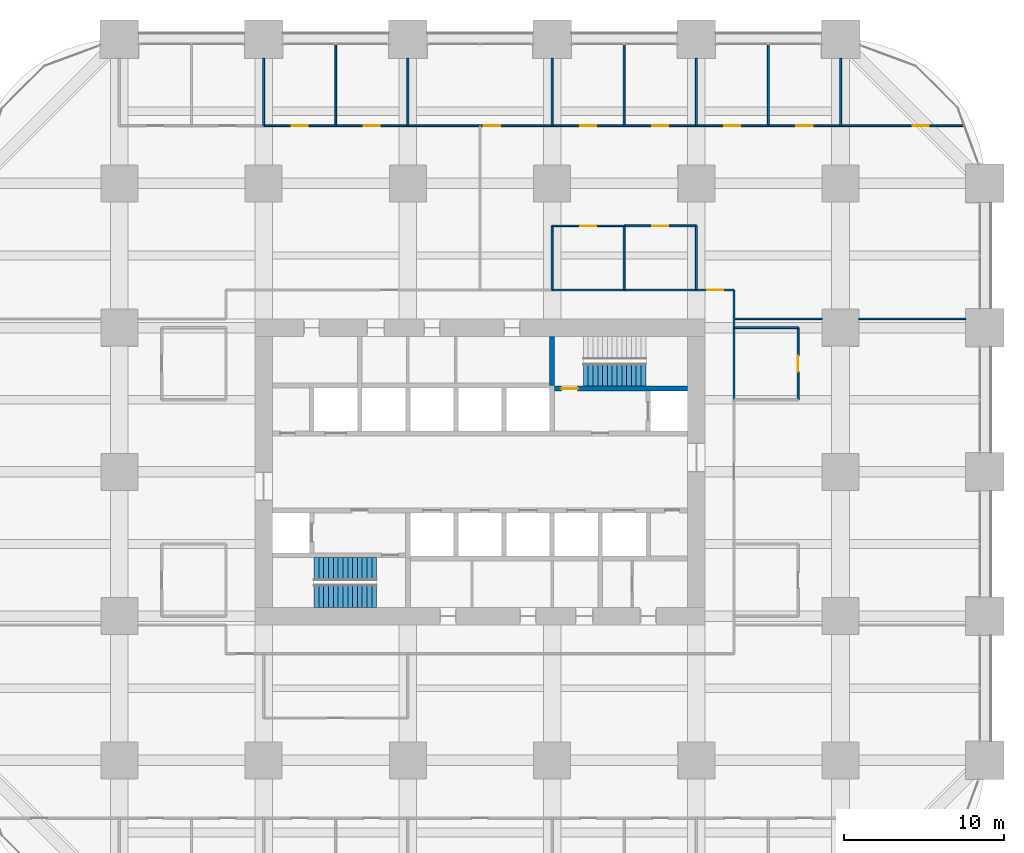
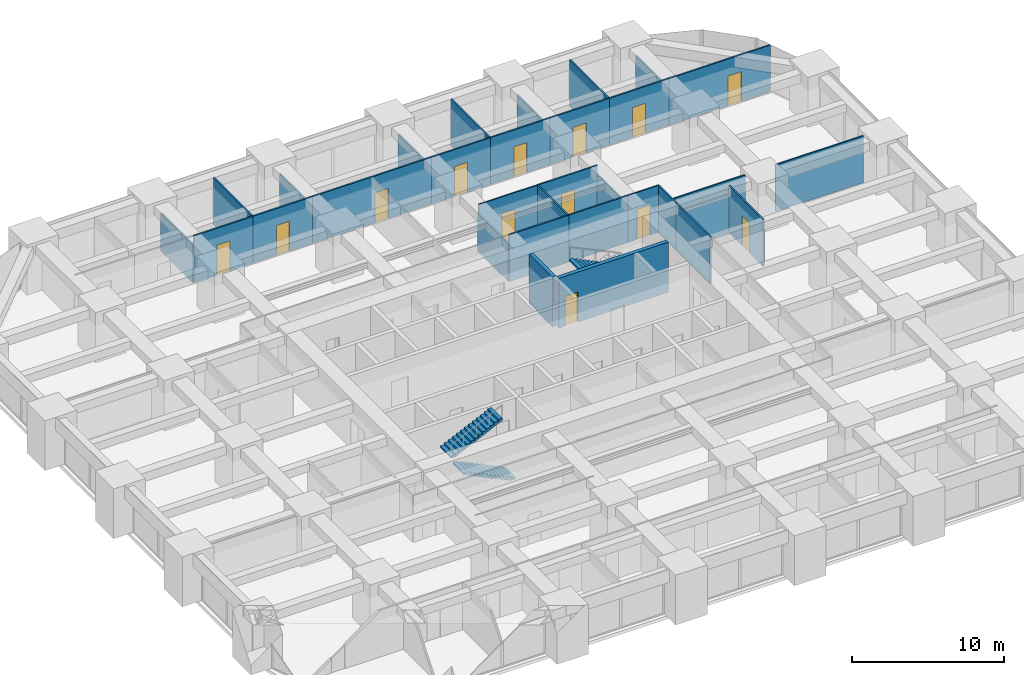
# One storey, part 42 of 45: 32 walls, 13 doors, 3 stair flights, 13 openings, 2 elements without a shape of their own.
"""IFC4 building model written with IfcOpenShell, lengths in metres."""

from ifc_helpers import new_model, si_unit, direction, frame, frame_2d, origin, place, context, subcontext, project, spatial, polyline, rectangle, outline, extrude, material, layer, layer_set, type_object, element, fill, aggregate, save


model = new_model("IFC4")

# Units and contexts
model_context = context("Model", 3, precision=1e-05, world=origin(), true_north=direction((0.0, 1.0)))
body_context = subcontext(model_context, "Body", "Model", "MODEL_VIEW")
ifc_project = project(units=[si_unit("LENGTHUNIT", "METRE"), si_unit("AREAUNIT", "SQUARE_METRE"), si_unit("VOLUMEUNIT", "CUBIC_METRE"), si_unit("PLANEANGLEUNIT", "RADIAN"), si_unit("MASSUNIT", "GRAM", prefix="KILO")], contexts=[model_context])

# Site, building, storey
site_placement = place(None, origin())
site = spatial("IfcSite", under=ifc_project, at=site_placement, CompositionType="ELEMENT")
building_placement = place(site_placement, origin())
building = spatial("IfcBuilding", under=site, at=building_placement, Name="Zorevar Civic Tower", CompositionType="ELEMENT")
storey_placement = place(building_placement, frame((0.0, 0.0, 47.800048828125)))
storey = spatial("IfcBuildingStorey", under=building, at=storey_placement, Name="L11", CompositionType="ELEMENT", Elevation=47.800048828125)

# Walls
ifc_material_1 = material(Name="Laminated glass in black aluminium frame", Category="aluminium")
ifc_layer_1 = layer(ifc_material_1, 0.10009765625)
ifc_layer_set_1 = layer_set([ifc_layer_1], Name="Glazed partition 100")
wall_type_1 = type_object("IfcWallType", Name="Glazed partition 100", PredefinedType="PARTITIONING", material=ifc_layer_set_1)
wall_1_placement = place(storey_placement, frame((47.35009765625, 36.550048828125, 0.0), z_axis=(0.0, 0.0, 1.0), x_axis=(1.0, 0.0, 0.0)))
element("IfcWall", 1, at=wall_1_placement, inside=storey, type_object=wall_type_1, Name="Glazed partition 100 L11", PredefinedType="PARTITIONING", context=body_context, shape_type="SweptSolid", body=[
    extrude(rectangle(XDim=5.5, YDim=0.10009765625, at=frame_2d((2.75, 0.0))), origin(), (0.0, 0.0, 1.0), 3.75),
])
wall_2_placement = place(storey_placement, frame((55.14990234375, 36.550048828125, 0.0), z_axis=(0.0, 0.0, 1.0), x_axis=(1.0, 0.0, 0.0)))
element("IfcWall", 2, at=wall_2_placement, inside=storey, type_object=wall_type_1, Name="Glazed partition 100 L11", PredefinedType="PARTITIONING", context=body_context, shape_type="SweptSolid", body=[
    extrude(rectangle(XDim=6.650146484375, YDim=0.10009765625, at=frame_2d((3.3251953125, 0.0))), origin(), (0.0, 0.0, 1.0), 3.75),
])

# Wall, opening, door
wall_3_placement = place(storey_placement, frame((45.0, 38.35009765625, 0.0), z_axis=(0.0, 0.0, 1.0), x_axis=(1.0, 0.0, 0.0)))
wall_3 = element("IfcWall", 3, at=wall_3_placement, inside=storey, type_object=wall_type_1, Name="Glazed partition 100 L11", PredefinedType="PARTITIONING", context=body_context, shape_type="SweptSolid", body=[
    extrude(rectangle(XDim=2.35009765625, YDim=0.10009765625, at=frame_2d((1.175048828125, 0.0))), origin(), (0.0, 0.0, 1.0), 3.75),
])
opening_1_placement = place(wall_3_placement, frame((0.675048828125, 0.0, 0.0)))
opening_1 = element("IfcOpeningElement", 4, at=opening_1_placement, cuts=wall_3, Name="Opening L11.30", PredefinedType="OPENING", context=body_context, shape_type="SweptSolid", body=[
    extrude(rectangle(XDim=1.0, YDim=2.39990234375, at=frame_2d((0.5, 1.199951171875))), frame((0.0, 0.06005859375, 0.0), z_axis=(0.0, -1.0, 0.0), x_axis=(1.0, 0.0, 0.0)), (0.0, 0.0, 1.0), 0.1201171875),
])
ifc_material_2 = material(Name="Timber door set", Category="wood")
door_type_1 = type_object("IfcDoorType", Name="Glazed door GD1 1000x2400", OperationType="SINGLE_SWING_LEFT", PredefinedType="DOOR", material=ifc_material_2)
door_1_placement = place(opening_1_placement, origin())
door_1 = element("IfcDoor", 5, at=door_1_placement, inside=storey, type_object=door_type_1, Name="Door L11 D1", OperationType="SINGLE_SWING_RIGHT", OverallHeight=2.39990234375, OverallWidth=1.0, PredefinedType="DOOR", context=body_context, shape_type="SweptSolid", body=[
    extrude(rectangle(XDim=1.0, YDim=2.39990234375, at=frame_2d((0.5, 1.199951171875))), frame((0.0, 0.02001953125, 0.0), z_axis=(0.0, -1.0, 0.0), x_axis=(1.0, 0.0, 0.0)), (0.0, 0.0, 1.0), 0.0400390625),
])
fill(opening_1, door_1)

wall_4_placement = place(storey_placement, frame((36.0, 42.35009765625, 0.0), z_axis=(0.0, 0.0, 1.0), x_axis=(1.0, 0.0, 0.0)))
wall_4 = element("IfcWall", 6, at=wall_4_placement, inside=storey, type_object=wall_type_1, Name="Glazed partition 100 L11", PredefinedType="PARTITIONING", context=body_context, shape_type="SweptSolid", body=[
    extrude(rectangle(XDim=4.5, YDim=0.10009765625, at=frame_2d((2.25, 0.0))), origin(), (0.0, 0.0, 1.0), 3.75),
])
opening_2_placement = place(wall_4_placement, frame((1.75, 0.0, 0.0)))
opening_2 = element("IfcOpeningElement", 7, at=opening_2_placement, cuts=wall_4, Name="Opening L11.32", PredefinedType="OPENING", context=body_context, shape_type="SweptSolid", body=[
    extrude(rectangle(XDim=1.0, YDim=2.39990234375, at=frame_2d((0.5, 1.199951171875))), frame((0.0, 0.06005859375, 0.0), z_axis=(0.0, -1.0, 0.0), x_axis=(1.0, 0.0, 0.0)), (0.0, 0.0, 1.0), 0.1201171875),
])
door_2_placement = place(opening_2_placement, origin())
door_2 = element("IfcDoor", 8, at=door_2_placement, inside=storey, type_object=door_type_1, Name="Door L11 D1", OperationType="SINGLE_SWING_RIGHT", OverallHeight=2.39990234375, OverallWidth=1.0, PredefinedType="DOOR", context=body_context, shape_type="SweptSolid", body=[
    extrude(rectangle(XDim=1.0, YDim=2.39990234375, at=frame_2d((0.5, 1.199951171875))), frame((0.0, 0.02001953125, 0.0), z_axis=(0.0, -1.0, 0.0), x_axis=(1.0, 0.0, 0.0)), (0.0, 0.0, 1.0), 0.0400390625),
])
fill(opening_2, door_2)

# Wall
wall_5_placement = place(storey_placement, frame((47.35009765625, 36.0, 0.0), z_axis=(0.0, 0.0, 1.0), x_axis=(0.0, 1.0, 0.0)))
element("IfcWall", 9, at=wall_5_placement, inside=storey, type_object=wall_type_1, Name="Glazed partition 100 L11", PredefinedType="PARTITIONING", context=body_context, shape_type="SweptSolid", body=[
    extrude(rectangle(XDim=2.35009765625, YDim=0.10009765625, at=frame_2d((1.175048828125, 0.0))), origin(), (0.0, 0.0, 1.0), 3.75),
])

# Wall, opening, door
ifc_material_3 = material(Name="Concrete C40/50", Category="concrete")
ifc_layer_2 = layer(ifc_material_3, 0.300048828125)
ifc_layer_set_2 = layer_set([ifc_layer_2], Name="Inner core wall 300")
wall_type_2 = type_object("IfcWallType", Name="Inner core wall 300", PredefinedType="SHEAR", material=ifc_layer_set_2)
wall_6_placement = place(storey_placement, frame((36.14990234375, 32.199951171875, 0.0), z_axis=(0.0, 0.0, 1.0), x_axis=(1.0, 0.0, 0.0)))
wall_6 = element("IfcWall", 10, at=wall_6_placement, inside=storey, type_object=wall_type_2, Name="Inner core wall N00 L11", PredefinedType="SHEAR", context=body_context, shape_type="SweptSolid", body=[
    extrude(rectangle(XDim=8.300048828125, YDim=0.300048828125, at=frame_2d((4.14990234375, 0.0))), origin(), (0.0, 0.0, 1.0), 4.0),
])
opening_3_placement = place(wall_6_placement, frame((0.449951171875, 0.0, 0.0)))
opening_3 = element("IfcOpeningElement", 11, at=opening_3_placement, cuts=wall_6, Name="Opening L11.12", PredefinedType="OPENING", context=body_context, shape_type="SweptSolid", body=[
    extrude(rectangle(XDim=1.0, YDim=2.39990234375, at=frame_2d((0.5, 1.199951171875))), frame((0.0, 0.159912109375, 0.0), z_axis=(0.0, -1.0, 0.0), x_axis=(1.0, 0.0, 0.0)), (0.0, 0.0, 1.0), 0.320068359375),
])
ifc_material_4 = material(Name="Steel door set", Category="steel")
door_type_2 = type_object("IfcDoorType", Name="Fire door FD1 1000x2400", OperationType="SINGLE_SWING_LEFT", PredefinedType="DOOR", material=ifc_material_4)
door_3_placement = place(opening_3_placement, origin())
door_3 = element("IfcDoor", 12, at=door_3_placement, inside=storey, type_object=door_type_2, Name="Door L11 11", OperationType="SINGLE_SWING_RIGHT", OverallHeight=2.39990234375, OverallWidth=1.0, PredefinedType="DOOR", context=body_context, shape_type="SweptSolid", body=[
    extrude(rectangle(XDim=1.0, YDim=2.39990234375, at=frame_2d((0.5, 1.199951171875))), frame((0.0, 0.030029296875, 0.0), z_axis=(0.0, -1.0, 0.0), x_axis=(1.0, 0.0, 0.0)), (0.0, 0.0, 1.0), 0.06005859375),
])
fill(opening_3, door_3)

# Walls
wall_7_placement = place(storey_placement, frame((36.0, 32.39990234375, 0.0), z_axis=(0.0, 0.0, 1.0), x_axis=(0.0, 1.0, 0.0)))
element("IfcWall", 13, at=wall_7_placement, inside=storey, type_object=wall_type_2, Name="Inner core wall N01 L11", PredefinedType="SHEAR", context=body_context, shape_type="SweptSolid", body=[
    extrude(rectangle(XDim=3.050048828125, YDim=0.300048828125, at=frame_2d((1.52490234375, 0.0))), origin(), (0.0, 0.0, 1.0), 4.0),
])
ifc_material_5 = material(Name="Gypsum board on steel studs", Category="steel")
ifc_layer_3 = layer(ifc_material_5, 0.1201171875)
ifc_layer_set_3 = layer_set([ifc_layer_3], Name="Partition 120")
wall_type_3 = type_object("IfcWallType", Name="Partition 120", PredefinedType="PARTITIONING", material=ifc_layer_set_3)
wall_8_placement = place(storey_placement, frame((47.35009765625, 36.0, 0.0), z_axis=(0.0, 0.0, 1.0), x_axis=(1.0, 0.0, 0.0)))
element("IfcWall", 14, at=wall_8_placement, inside=storey, type_object=wall_type_3, Name="Partition 120 L11", PredefinedType="PARTITIONING", context=body_context, shape_type="SweptSolid", body=[
    extrude(rectangle(XDim=4.0, YDim=0.1201171875, at=frame_2d((2.0, 0.0))), origin(), (0.0, 0.0, 1.0), 3.050048828125),
])
for number, where, z_axis, x_axis, name in (
    (15, (36.0, 38.35009765625, 0.0), (0.0, 0.0, 1.0), (1.0, 0.0, 0.0), "Partition 120 L11"),
    (16, (40.5, 38.35009765625, 0.0), (0.0, 0.0, 1.0), (1.0, 0.0, 0.0), "Partition 120 L11"),
):
    element("IfcWall", number, at=place(storey_placement, frame(where, z_axis=z_axis, x_axis=x_axis)), inside=storey, type_object=wall_type_3, Name=name, PredefinedType="PARTITIONING", context=body_context, shape_type="SweptSolid", body=[
        extrude(rectangle(XDim=4.5, YDim=0.1201171875, at=frame_2d((2.25, 0.0))), origin(), (0.0, 0.0, 1.0), 3.75),
    ])

# Wall, opening, door
wall_9_placement = place(storey_placement, frame((40.5, 42.35009765625, 0.0), z_axis=(0.0, 0.0, 1.0), x_axis=(1.0, 0.0, 0.0)))
wall_9 = element("IfcWall", 17, at=wall_9_placement, inside=storey, type_object=wall_type_3, Name="Partition 120 L11", PredefinedType="PARTITIONING", context=body_context, shape_type="SweptSolid", body=[
    extrude(rectangle(XDim=4.5, YDim=0.1201171875, at=frame_2d((2.25, 0.0))), origin(), (0.0, 0.0, 1.0), 3.75),
])
opening_4_placement = place(wall_9_placement, frame((1.75, 0.0, 0.0)))
opening_4 = element("IfcOpeningElement", 18, at=opening_4_placement, cuts=wall_9, Name="Opening L11.31", PredefinedType="OPENING", context=body_context, shape_type="SweptSolid", body=[
    extrude(rectangle(XDim=1.0, YDim=2.39990234375, at=frame_2d((0.5, 1.199951171875))), frame((0.0, 0.070068359375, 0.0), z_axis=(0.0, -1.0, 0.0), x_axis=(1.0, 0.0, 0.0)), (0.0, 0.0, 1.0), 0.14013671875),
])
ifc_material_6 = material(Name="Timber door set", Category="wood")
door_type_3 = type_object("IfcDoorType", Name="Door D1 1000x2400", OperationType="SINGLE_SWING_LEFT", PredefinedType="DOOR", material=ifc_material_6)
door_4_placement = place(opening_4_placement, origin())
door_4 = element("IfcDoor", 19, at=door_4_placement, inside=storey, type_object=door_type_3, Name="Door L11 D1", OperationType="SINGLE_SWING_RIGHT", OverallHeight=2.39990234375, OverallWidth=1.0, PredefinedType="DOOR", context=body_context, shape_type="SweptSolid", body=[
    extrude(rectangle(XDim=1.0, YDim=2.39990234375, at=frame_2d((0.5, 1.199951171875))), frame((0.0, 0.02490234375, 0.0), z_axis=(0.0, -1.0, 0.0), x_axis=(1.0, 0.0, 0.0)), (0.0, 0.0, 1.0), 0.050048828125),
])
fill(opening_4, door_4)

wall_10_placement = place(storey_placement, frame((18.0, 48.60009765625, 0.0), z_axis=(0.0, 0.0, 1.0), x_axis=(1.0, 0.0, 0.0)))
wall_10 = element("IfcWall", 20, at=wall_10_placement, inside=storey, type_object=wall_type_3, Name="Partition 120 L11", PredefinedType="PARTITIONING", context=body_context, shape_type="SweptSolid", body=[
    extrude(rectangle(XDim=4.5, YDim=0.1201171875, at=frame_2d((2.25, 0.0))), origin(), (0.0, 0.0, 1.0), 3.75),
])
opening_5_placement = place(wall_10_placement, frame((1.75, 0.0, 0.0)))
opening_5 = element("IfcOpeningElement", 21, at=opening_5_placement, cuts=wall_10, Name="Opening L11.35", PredefinedType="OPENING", context=body_context, shape_type="SweptSolid", body=[
    extrude(rectangle(XDim=1.0, YDim=2.39990234375, at=frame_2d((0.5, 1.199951171875))), frame((0.0, 0.070068359375, 0.0), z_axis=(0.0, -1.0, 0.0), x_axis=(1.0, 0.0, 0.0)), (0.0, 0.0, 1.0), 0.14013671875),
])
door_5_placement = place(opening_5_placement, origin())
door_5 = element("IfcDoor", 22, at=door_5_placement, inside=storey, type_object=door_type_3, Name="Door L11 D1", OperationType="SINGLE_SWING_RIGHT", OverallHeight=2.39990234375, OverallWidth=1.0, PredefinedType="DOOR", context=body_context, shape_type="SweptSolid", body=[
    extrude(rectangle(XDim=1.0, YDim=2.39990234375, at=frame_2d((0.5, 1.199951171875))), frame((0.0, 0.02490234375, 0.0), z_axis=(0.0, -1.0, 0.0), x_axis=(1.0, 0.0, 0.0)), (0.0, 0.0, 1.0), 0.050048828125),
])
fill(opening_5, door_5)

wall_11_placement = place(storey_placement, frame((22.5, 48.60009765625, 0.0), z_axis=(0.0, 0.0, 1.0), x_axis=(1.0, 0.0, 0.0)))
wall_11 = element("IfcWall", 23, at=wall_11_placement, inside=storey, type_object=wall_type_3, Name="Partition 120 L11", PredefinedType="PARTITIONING", context=body_context, shape_type="SweptSolid", body=[
    extrude(rectangle(XDim=4.5, YDim=0.1201171875, at=frame_2d((2.25, 0.0))), origin(), (0.0, 0.0, 1.0), 3.75),
])
opening_6_placement = place(wall_11_placement, frame((1.75, 0.0, 0.0)))
opening_6 = element("IfcOpeningElement", 24, at=opening_6_placement, cuts=wall_11, Name="Opening L11.36", PredefinedType="OPENING", context=body_context, shape_type="SweptSolid", body=[
    extrude(rectangle(XDim=1.0, YDim=2.39990234375, at=frame_2d((0.5, 1.199951171875))), frame((0.0, 0.070068359375, 0.0), z_axis=(0.0, -1.0, 0.0), x_axis=(1.0, 0.0, 0.0)), (0.0, 0.0, 1.0), 0.14013671875),
])
door_6_placement = place(opening_6_placement, origin())
door_6 = element("IfcDoor", 25, at=door_6_placement, inside=storey, type_object=door_type_3, Name="Door L11 D1", OperationType="SINGLE_SWING_RIGHT", OverallHeight=2.39990234375, OverallWidth=1.0, PredefinedType="DOOR", context=body_context, shape_type="SweptSolid", body=[
    extrude(rectangle(XDim=1.0, YDim=2.39990234375, at=frame_2d((0.5, 1.199951171875))), frame((0.0, 0.02490234375, 0.0), z_axis=(0.0, -1.0, 0.0), x_axis=(1.0, 0.0, 0.0)), (0.0, 0.0, 1.0), 0.050048828125),
])
fill(opening_6, door_6)

wall_12_placement = place(storey_placement, frame((27.0, 48.60009765625, 0.0), z_axis=(0.0, 0.0, 1.0), x_axis=(1.0, 0.0, 0.0)))
wall_12 = element("IfcWall", 26, at=wall_12_placement, inside=storey, type_object=wall_type_3, Name="Partition 120 L11", PredefinedType="PARTITIONING", context=body_context, shape_type="SweptSolid", body=[
    extrude(rectangle(XDim=9.0, YDim=0.1201171875, at=frame_2d((4.5, 0.0))), origin(), (0.0, 0.0, 1.0), 3.75),
])
opening_7_placement = place(wall_12_placement, frame((4.75, 0.0, 0.0)))
opening_7 = element("IfcOpeningElement", 27, at=opening_7_placement, cuts=wall_12, Name="Opening L11.37", PredefinedType="OPENING", context=body_context, shape_type="SweptSolid", body=[
    extrude(rectangle(XDim=1.0, YDim=2.39990234375, at=frame_2d((0.5, 1.199951171875))), frame((0.0, 0.070068359375, 0.0), z_axis=(0.0, -1.0, 0.0), x_axis=(1.0, 0.0, 0.0)), (0.0, 0.0, 1.0), 0.14013671875),
])
door_7_placement = place(opening_7_placement, origin())
door_7 = element("IfcDoor", 28, at=door_7_placement, inside=storey, type_object=door_type_3, Name="Door L11 D1", OperationType="SINGLE_SWING_RIGHT", OverallHeight=2.39990234375, OverallWidth=1.0, PredefinedType="DOOR", context=body_context, shape_type="SweptSolid", body=[
    extrude(rectangle(XDim=1.0, YDim=2.39990234375, at=frame_2d((0.5, 1.199951171875))), frame((0.0, 0.02490234375, 0.0), z_axis=(0.0, -1.0, 0.0), x_axis=(1.0, 0.0, 0.0)), (0.0, 0.0, 1.0), 0.050048828125),
])
fill(opening_7, door_7)

wall_13_placement = place(storey_placement, frame((36.0, 48.60009765625, 0.0), z_axis=(0.0, 0.0, 1.0), x_axis=(1.0, 0.0, 0.0)))
wall_13 = element("IfcWall", 29, at=wall_13_placement, inside=storey, type_object=wall_type_3, Name="Partition 120 L11", PredefinedType="PARTITIONING", context=body_context, shape_type="SweptSolid", body=[
    extrude(rectangle(XDim=4.5, YDim=0.1201171875, at=frame_2d((2.25, 0.0))), origin(), (0.0, 0.0, 1.0), 3.75),
])
opening_8_placement = place(wall_13_placement, frame((1.75, 0.0, 0.0)))
opening_8 = element("IfcOpeningElement", 30, at=opening_8_placement, cuts=wall_13, Name="Opening L11.38", PredefinedType="OPENING", context=body_context, shape_type="SweptSolid", body=[
    extrude(rectangle(XDim=1.0, YDim=2.39990234375, at=frame_2d((0.5, 1.199951171875))), frame((0.0, 0.070068359375, 0.0), z_axis=(0.0, -1.0, 0.0), x_axis=(1.0, 0.0, 0.0)), (0.0, 0.0, 1.0), 0.14013671875),
])
door_8_placement = place(opening_8_placement, origin())
door_8 = element("IfcDoor", 31, at=door_8_placement, inside=storey, type_object=door_type_3, Name="Door L11 D1", OperationType="SINGLE_SWING_LEFT", OverallHeight=2.39990234375, OverallWidth=1.0, PredefinedType="DOOR", context=body_context, shape_type="SweptSolid", body=[
    extrude(rectangle(XDim=1.0, YDim=2.39990234375, at=frame_2d((0.5, 1.199951171875))), frame((0.0, 0.02490234375, 0.0), z_axis=(0.0, -1.0, 0.0), x_axis=(1.0, 0.0, 0.0)), (0.0, 0.0, 1.0), 0.050048828125),
])
fill(opening_8, door_8)

wall_14_placement = place(storey_placement, frame((40.5, 48.60009765625, 0.0), z_axis=(0.0, 0.0, 1.0), x_axis=(1.0, 0.0, 0.0)))
wall_14 = element("IfcWall", 32, at=wall_14_placement, inside=storey, type_object=wall_type_3, Name="Partition 120 L11", PredefinedType="PARTITIONING", context=body_context, shape_type="SweptSolid", body=[
    extrude(rectangle(XDim=4.5, YDim=0.1201171875, at=frame_2d((2.25, 0.0))), origin(), (0.0, 0.0, 1.0), 3.75),
])
opening_9_placement = place(wall_14_placement, frame((1.75, 0.0, 0.0)))
opening_9 = element("IfcOpeningElement", 33, at=opening_9_placement, cuts=wall_14, Name="Opening L11.39", PredefinedType="OPENING", context=body_context, shape_type="SweptSolid", body=[
    extrude(rectangle(XDim=1.0, YDim=2.39990234375, at=frame_2d((0.5, 1.199951171875))), frame((0.0, 0.070068359375, 0.0), z_axis=(0.0, -1.0, 0.0), x_axis=(1.0, 0.0, 0.0)), (0.0, 0.0, 1.0), 0.14013671875),
])
door_9_placement = place(opening_9_placement, origin())
door_9 = element("IfcDoor", 34, at=door_9_placement, inside=storey, type_object=door_type_3, Name="Door L11 D1", OperationType="SINGLE_SWING_LEFT", OverallHeight=2.39990234375, OverallWidth=1.0, PredefinedType="DOOR", context=body_context, shape_type="SweptSolid", body=[
    extrude(rectangle(XDim=1.0, YDim=2.39990234375, at=frame_2d((0.5, 1.199951171875))), frame((0.0, 0.02490234375, 0.0), z_axis=(0.0, -1.0, 0.0), x_axis=(1.0, 0.0, 0.0)), (0.0, 0.0, 1.0), 0.050048828125),
])
fill(opening_9, door_9)

wall_15_placement = place(storey_placement, frame((45.0, 48.60009765625, 0.0), z_axis=(0.0, 0.0, 1.0), x_axis=(1.0, 0.0, 0.0)))
wall_15 = element("IfcWall", 35, at=wall_15_placement, inside=storey, type_object=wall_type_3, Name="Partition 120 L11", PredefinedType="PARTITIONING", context=body_context, shape_type="SweptSolid", body=[
    extrude(rectangle(XDim=4.5, YDim=0.1201171875, at=frame_2d((2.25, 0.0))), origin(), (0.0, 0.0, 1.0), 3.75),
])
opening_10_placement = place(wall_15_placement, frame((1.75, 0.0, 0.0)))
opening_10 = element("IfcOpeningElement", 36, at=opening_10_placement, cuts=wall_15, Name="Opening L11.40", PredefinedType="OPENING", context=body_context, shape_type="SweptSolid", body=[
    extrude(rectangle(XDim=1.0, YDim=2.39990234375, at=frame_2d((0.5, 1.199951171875))), frame((0.0, 0.070068359375, 0.0), z_axis=(0.0, -1.0, 0.0), x_axis=(1.0, 0.0, 0.0)), (0.0, 0.0, 1.0), 0.14013671875),
])
door_10_placement = place(opening_10_placement, origin())
door_10 = element("IfcDoor", 37, at=door_10_placement, inside=storey, type_object=door_type_3, Name="Door L11 D1", OperationType="SINGLE_SWING_RIGHT", OverallHeight=2.39990234375, OverallWidth=1.0, PredefinedType="DOOR", context=body_context, shape_type="SweptSolid", body=[
    extrude(rectangle(XDim=1.0, YDim=2.39990234375, at=frame_2d((0.5, 1.199951171875))), frame((0.0, 0.02490234375, 0.0), z_axis=(0.0, -1.0, 0.0), x_axis=(1.0, 0.0, 0.0)), (0.0, 0.0, 1.0), 0.050048828125),
])
fill(opening_10, door_10)

wall_16_placement = place(storey_placement, frame((49.5, 48.60009765625, 0.0), z_axis=(0.0, 0.0, 1.0), x_axis=(1.0, 0.0, 0.0)))
wall_16 = element("IfcWall", 38, at=wall_16_placement, inside=storey, type_object=wall_type_3, Name="Partition 120 L11", PredefinedType="PARTITIONING", context=body_context, shape_type="SweptSolid", body=[
    extrude(rectangle(XDim=4.5, YDim=0.1201171875, at=frame_2d((2.25, 0.0))), origin(), (0.0, 0.0, 1.0), 3.75),
])
opening_11_placement = place(wall_16_placement, frame((1.75, 0.0, 0.0)))
opening_11 = element("IfcOpeningElement", 39, at=opening_11_placement, cuts=wall_16, Name="Opening L11.41", PredefinedType="OPENING", context=body_context, shape_type="SweptSolid", body=[
    extrude(rectangle(XDim=1.0, YDim=2.39990234375, at=frame_2d((0.5, 1.199951171875))), frame((0.0, 0.070068359375, 0.0), z_axis=(0.0, -1.0, 0.0), x_axis=(1.0, 0.0, 0.0)), (0.0, 0.0, 1.0), 0.14013671875),
])
door_11_placement = place(opening_11_placement, origin())
door_11 = element("IfcDoor", 40, at=door_11_placement, inside=storey, type_object=door_type_3, Name="Door L11 D1", OperationType="SINGLE_SWING_RIGHT", OverallHeight=2.39990234375, OverallWidth=1.0, PredefinedType="DOOR", context=body_context, shape_type="SweptSolid", body=[
    extrude(rectangle(XDim=1.0, YDim=2.39990234375, at=frame_2d((0.5, 1.199951171875))), frame((0.0, 0.02490234375, 0.0), z_axis=(0.0, -1.0, 0.0), x_axis=(1.0, 0.0, 0.0)), (0.0, 0.0, 1.0), 0.050048828125),
])
fill(opening_11, door_11)

wall_17_placement = place(storey_placement, frame((54.0, 48.60009765625, 0.0), z_axis=(0.0, 0.0, 1.0), x_axis=(1.0, 0.0, 0.0)))
wall_17 = element("IfcWall", 41, at=wall_17_placement, inside=storey, type_object=wall_type_3, Name="Partition 120 L11", PredefinedType="PARTITIONING", context=body_context, shape_type="SweptSolid", body=[
    extrude(rectangle(XDim=7.6904296875, YDim=0.1201171875, at=frame_2d((3.84521484375, 0.0))), origin(), (0.0, 0.0, 1.0), 3.75),
])
opening_12_placement = place(wall_17_placement, frame((4.5, 0.0, 0.0)))
opening_12 = element("IfcOpeningElement", 42, at=opening_12_placement, cuts=wall_17, Name="Opening L11.42", PredefinedType="OPENING", context=body_context, shape_type="SweptSolid", body=[
    extrude(rectangle(XDim=1.0, YDim=2.39990234375, at=frame_2d((0.5, 1.199951171875))), frame((0.0, 0.070068359375, 0.0), z_axis=(0.0, -1.0, 0.0), x_axis=(1.0, 0.0, 0.0)), (0.0, 0.0, 1.0), 0.14013671875),
])
door_12_placement = place(opening_12_placement, origin())
door_12 = element("IfcDoor", 43, at=door_12_placement, inside=storey, type_object=door_type_3, Name="Door L11 D1", OperationType="SINGLE_SWING_RIGHT", OverallHeight=2.39990234375, OverallWidth=1.0, PredefinedType="DOOR", context=body_context, shape_type="SweptSolid", body=[
    extrude(rectangle(XDim=1.0, YDim=2.39990234375, at=frame_2d((0.5, 1.199951171875))), frame((0.0, 0.02490234375, 0.0), z_axis=(0.0, -1.0, 0.0), x_axis=(1.0, 0.0, 0.0)), (0.0, 0.0, 1.0), 0.050048828125),
])
fill(opening_12, door_12)

# Walls
wall_18_placement = place(storey_placement, frame((18.0, 48.60009765625, 0.0), z_axis=(0.0, 0.0, 1.0), x_axis=(0.0, 1.0, 0.0)))
element("IfcWall", 44, at=wall_18_placement, inside=storey, type_object=wall_type_3, Name="Partition 120 L11", PredefinedType="PARTITIONING", context=body_context, shape_type="SweptSolid", body=[
    extrude(rectangle(XDim=4.199951171875, YDim=0.1201171875, at=frame_2d((2.10009765625, 0.0))), origin(), (0.0, 0.0, 1.0), 3.050048828125),
])
wall_19_placement = place(storey_placement, frame((22.5, 48.60009765625, 0.0), z_axis=(0.0, 0.0, 1.0), x_axis=(0.0, 1.0, 0.0)))
element("IfcWall", 45, at=wall_19_placement, inside=storey, type_object=wall_type_3, Name="Partition 120 L11", PredefinedType="PARTITIONING", context=body_context, shape_type="SweptSolid", body=[
    extrude(rectangle(XDim=5.08984375, YDim=0.1201171875, at=frame_2d((2.544921875, 0.0))), origin(), (0.0, 0.0, 1.0), 3.75),
])
for number, where, z_axis, x_axis, name in (
    (46, (27.0, 48.60009765625, 0.0), (0.0, 0.0, 1.0), (0.0, 1.0, 0.0), "Partition 120 L11"),
    (47, (36.0, 48.60009765625, 0.0), (0.0, 0.0, 1.0), (0.0, 1.0, 0.0), "Partition 120 L11"),
):
    element("IfcWall", number, at=place(storey_placement, frame(where, z_axis=z_axis, x_axis=x_axis)), inside=storey, type_object=wall_type_3, Name=name, PredefinedType="PARTITIONING", context=body_context, shape_type="SweptSolid", body=[
        extrude(rectangle(XDim=4.199951171875, YDim=0.1201171875, at=frame_2d((2.10009765625, 0.0))), origin(), (0.0, 0.0, 1.0), 3.050048828125),
    ])
wall_20_placement = place(storey_placement, frame((36.0, 38.35009765625, 0.0), z_axis=(0.0, 0.0, 1.0), x_axis=(0.0, 1.0, 0.0)))
element("IfcWall", 48, at=wall_20_placement, inside=storey, type_object=wall_type_3, Name="Partition 120 L11", PredefinedType="PARTITIONING", context=body_context, shape_type="SweptSolid", body=[
    extrude(rectangle(XDim=4.0, YDim=0.1201171875, at=frame_2d((2.0, 0.0))), origin(), (0.0, 0.0, 1.0), 3.050048828125),
])
wall_21_placement = place(storey_placement, frame((40.5, 48.60009765625, 0.0), z_axis=(0.0, 0.0, 1.0), x_axis=(0.0, 1.0, 0.0)))
element("IfcWall", 49, at=wall_21_placement, inside=storey, type_object=wall_type_3, Name="Partition 120 L11", PredefinedType="PARTITIONING", context=body_context, shape_type="SweptSolid", body=[
    extrude(rectangle(XDim=5.08984375, YDim=0.1201171875, at=frame_2d((2.544921875, 0.0))), origin(), (0.0, 0.0, 1.0), 3.75),
])
wall_22_placement = place(storey_placement, frame((40.5, 38.35009765625, 0.0), z_axis=(0.0, 0.0, 1.0), x_axis=(0.0, 1.0, 0.0)))
element("IfcWall", 50, at=wall_22_placement, inside=storey, type_object=wall_type_3, Name="Partition 120 L11", PredefinedType="PARTITIONING", context=body_context, shape_type="SweptSolid", body=[
    extrude(rectangle(XDim=4.0, YDim=0.1201171875, at=frame_2d((2.0, 0.0))), origin(), (0.0, 0.0, 1.0), 3.75),
])
wall_23_placement = place(storey_placement, frame((45.0, 48.60009765625, 0.0), z_axis=(0.0, 0.0, 1.0), x_axis=(0.0, 1.0, 0.0)))
element("IfcWall", 51, at=wall_23_placement, inside=storey, type_object=wall_type_3, Name="Partition 120 L11", PredefinedType="PARTITIONING", context=body_context, shape_type="SweptSolid", body=[
    extrude(rectangle(XDim=4.199951171875, YDim=0.1201171875, at=frame_2d((2.10009765625, 0.0))), origin(), (0.0, 0.0, 1.0), 3.050048828125),
])
wall_24_placement = place(storey_placement, frame((45.0, 38.35009765625, 0.0), z_axis=(0.0, 0.0, 1.0), x_axis=(0.0, 1.0, 0.0)))
element("IfcWall", 52, at=wall_24_placement, inside=storey, type_object=wall_type_3, Name="Partition 120 L11", PredefinedType="PARTITIONING", context=body_context, shape_type="SweptSolid", body=[
    extrude(rectangle(XDim=4.0, YDim=0.1201171875, at=frame_2d((2.0, 0.0))), origin(), (0.0, 0.0, 1.0), 3.050048828125),
])
wall_25_placement = place(storey_placement, frame((47.35009765625, 31.5, 0.0), z_axis=(0.0, 0.0, 1.0), x_axis=(0.0, 1.0, 0.0)))
element("IfcWall", 53, at=wall_25_placement, inside=storey, type_object=wall_type_3, Name="Partition 120 L11", PredefinedType="PARTITIONING", context=body_context, shape_type="SweptSolid", body=[
    extrude(rectangle(XDim=4.5, YDim=0.1201171875, at=frame_2d((2.25, 0.0))), origin(), (0.0, 0.0, 1.0), 3.75),
])
wall_26_placement = place(storey_placement, frame((49.5, 48.60009765625, 0.0), z_axis=(0.0, 0.0, 1.0), x_axis=(0.0, 1.0, 0.0)))
element("IfcWall", 54, at=wall_26_placement, inside=storey, type_object=wall_type_3, Name="Partition 120 L11", PredefinedType="PARTITIONING", context=body_context, shape_type="SweptSolid", body=[
    extrude(rectangle(XDim=5.08984375, YDim=0.1201171875, at=frame_2d((2.544921875, 0.0))), origin(), (0.0, 0.0, 1.0), 3.75),
])

# Wall, opening, door
wall_27_placement = place(storey_placement, frame((51.35009765625, 31.5, 0.0), z_axis=(0.0, 0.0, 1.0), x_axis=(0.0, 1.0, 0.0)))
wall_27 = element("IfcWall", 55, at=wall_27_placement, inside=storey, type_object=wall_type_3, Name="Partition 120 L11", PredefinedType="PARTITIONING", context=body_context, shape_type="SweptSolid", body=[
    extrude(rectangle(XDim=4.5, YDim=0.1201171875, at=frame_2d((2.25, 0.0))), origin(), (0.0, 0.0, 1.0), 3.75),
])
opening_13_placement = place(wall_27_placement, frame((1.75, 0.0, 0.0)))
opening_13 = element("IfcOpeningElement", 56, at=opening_13_placement, cuts=wall_27, Name="Opening L11.46", PredefinedType="OPENING", context=body_context, shape_type="SweptSolid", body=[
    extrude(rectangle(XDim=1.0, YDim=2.39990234375, at=frame_2d((0.5, 1.199951171875))), frame((0.0, 0.070068359375, 0.0), z_axis=(0.0, -1.0, 0.0), x_axis=(1.0, 0.0, 0.0)), (0.0, 0.0, 1.0), 0.14013671875),
])
door_13_placement = place(opening_13_placement, origin())
door_13 = element("IfcDoor", 57, at=door_13_placement, inside=storey, type_object=door_type_3, Name="Door L11 D1", OperationType="SINGLE_SWING_RIGHT", OverallHeight=2.39990234375, OverallWidth=1.0, PredefinedType="DOOR", context=body_context, shape_type="SweptSolid", body=[
    extrude(rectangle(XDim=1.0, YDim=2.39990234375, at=frame_2d((0.5, 1.199951171875))), frame((0.0, 0.02490234375, 0.0), z_axis=(0.0, -1.0, 0.0), x_axis=(1.0, 0.0, 0.0)), (0.0, 0.0, 1.0), 0.050048828125),
])
fill(opening_13, door_13)

# Wall
wall_28_placement = place(storey_placement, frame((54.0, 48.60009765625, 0.0), z_axis=(0.0, 0.0, 1.0), x_axis=(0.0, 1.0, 0.0)))
element("IfcWall", 58, at=wall_28_placement, inside=storey, type_object=wall_type_3, Name="Partition 120 L11", PredefinedType="PARTITIONING", context=body_context, shape_type="SweptSolid", body=[
    extrude(rectangle(XDim=4.199951171875, YDim=0.1201171875, at=frame_2d((2.10009765625, 0.0))), origin(), (0.0, 0.0, 1.0), 3.050048828125),
])

# Stair, stair flights
ifc_material_7 = material(Name="Precast concrete C40/50", Category="concrete")
stair_type = type_object("IfcStairType", Name="Stair ST 28R", PredefinedType="HALF_TURN_STAIR", material=ifc_material_7)
stair_1_placement = place(storey_placement, origin())
stair_1 = element("IfcStair", 59, at=stair_1_placement, inside=storey, type_object=stair_type, Name="Stair ST1 L11", PredefinedType="HALF_TURN_STAIR")
ifc_material_8 = material(Name="Precast concrete C40/50", Category="concrete")
stair_flight_type = type_object("IfcStairFlightType", Name="Stair flight", PredefinedType="STRAIGHT", material=ifc_material_8)
stair_flight_1_placement = place(storey_placement, frame((25.050048828125, 19.262451171875, 0.0), z_axis=(0.0, 0.0, 1.0), x_axis=(-1.0, 0.0, 0.0)))
stair_flight_1 = element("IfcStairFlight", 60, at=stair_flight_1_placement, type_object=stair_flight_type, Name="ST1 flight 1", NumberOfRisers=14, NumberOfTreads=13, PredefinedType="STRAIGHT", RiserHeight=0.142857143, TreadLength=0.3, context=body_context, shape_type="SweptSolid", body=[
    extrude(outline(polyline([(0.0, 0.0), (0.0, 0.142822265625), (0.300048828125, 0.142822265625), (0.300048828125, 0.28564453125), (0.60009765625, 0.28564453125), (0.60009765625, 0.428466796875), (0.89990234375, 0.428466796875), (0.89990234375, 0.571533203125), (1.199951171875, 0.571533203125), (1.199951171875, 0.71435546875), (1.5, 0.71435546875), (1.5, 0.857177734375), (1.800048828125, 0.857177734375), (1.800048828125, 1.0), (2.10009765625, 1.0), (2.10009765625, 1.142822265625), (2.39990234375, 1.142822265625), (2.39990234375, 1.28564453125), (2.699951171875, 1.28564453125), (2.699951171875, 1.428466796875), (3.0, 1.428466796875), (3.0, 1.571533203125), (3.300048828125, 1.571533203125), (3.300048828125, 1.71435546875), (3.60009765625, 1.71435546875), (3.60009765625, 1.857177734375), (3.89990234375, 1.857177734375), (3.89990234375, 2.0), (3.89990234375, 1.691162109375), (0.3486328125, 0.0), (0.0, 0.0)])), frame((0.0, 0.71240234375, 0.0), z_axis=(0.0, -1.0, 0.0), x_axis=(1.0, 0.0, 0.0)), (0.0, 0.0, 1.0), 1.425048828125),
])
stair_flight_2_placement = place(storey_placement, frame((21.14990234375, 20.9375, 2.0), z_axis=(0.0, 0.0, 1.0), x_axis=(1.0, 0.0, 0.0)))
stair_flight_2 = element("IfcStairFlight", 61, at=stair_flight_2_placement, type_object=stair_flight_type, Name="ST1 flight 2", NumberOfRisers=14, NumberOfTreads=13, PredefinedType="STRAIGHT", RiserHeight=0.142857143, TreadLength=0.3, context=body_context, shape_type="SweptSolid", body=[
    extrude(outline(polyline([(0.0, 0.0), (0.0, 0.142822265625), (0.300048828125, 0.142822265625), (0.300048828125, 0.28564453125), (0.60009765625, 0.28564453125), (0.60009765625, 0.428466796875), (0.89990234375, 0.428466796875), (0.89990234375, 0.571533203125), (1.199951171875, 0.571533203125), (1.199951171875, 0.71435546875), (1.5, 0.71435546875), (1.5, 0.857177734375), (1.800048828125, 0.857177734375), (1.800048828125, 1.0), (2.10009765625, 1.0), (2.10009765625, 1.142822265625), (2.39990234375, 1.142822265625), (2.39990234375, 1.28564453125), (2.699951171875, 1.28564453125), (2.699951171875, 1.428466796875), (3.0, 1.428466796875), (3.0, 1.571533203125), (3.300048828125, 1.571533203125), (3.300048828125, 1.71435546875), (3.60009765625, 1.71435546875), (3.60009765625, 1.857177734375), (3.89990234375, 1.857177734375), (3.89990234375, 2.0), (3.89990234375, 1.691162109375), (0.3486328125, 0.0), (0.0, 0.0)])), frame((0.0, 0.71240234375, 0.0), z_axis=(0.0, -1.0, 0.0), x_axis=(1.0, 0.0, 0.0)), (0.0, 0.0, 1.0), 1.425048828125),
])
aggregate(stair_1, [stair_flight_1, stair_flight_2])

# Stair, stair flight
stair_2_placement = place(storey_placement, origin())
stair_2 = element("IfcStair", 62, at=stair_2_placement, inside=storey, type_object=stair_type, Name="Stair ST2 L11", PredefinedType="HALF_TURN_STAIR")
stair_flight_3_placement = place(storey_placement, frame((41.85009765625, 33.0625, 2.0), z_axis=(0.0, 0.0, 1.0), x_axis=(-1.0, 0.0, 0.0)))
stair_flight_3 = element("IfcStairFlight", 63, at=stair_flight_3_placement, type_object=stair_flight_type, Name="ST2 flight 2", NumberOfRisers=14, NumberOfTreads=13, PredefinedType="STRAIGHT", RiserHeight=0.142857143, TreadLength=0.3, context=body_context, shape_type="SweptSolid", body=[
    extrude(outline(polyline([(0.0, 0.0), (0.0, 0.142822265625), (0.300048828125, 0.142822265625), (0.300048828125, 0.28564453125), (0.60009765625, 0.28564453125), (0.60009765625, 0.428466796875), (0.89990234375, 0.428466796875), (0.89990234375, 0.571533203125), (1.199951171875, 0.571533203125), (1.199951171875, 0.71435546875), (1.5, 0.71435546875), (1.5, 0.857177734375), (1.800048828125, 0.857177734375), (1.800048828125, 1.0), (2.10009765625, 1.0), (2.10009765625, 1.142822265625), (2.39990234375, 1.142822265625), (2.39990234375, 1.28564453125), (2.699951171875, 1.28564453125), (2.699951171875, 1.428466796875), (3.0, 1.428466796875), (3.0, 1.571533203125), (3.300048828125, 1.571533203125), (3.300048828125, 1.71435546875), (3.60009765625, 1.71435546875), (3.60009765625, 1.857177734375), (3.89990234375, 1.857177734375), (3.89990234375, 2.0), (3.89990234375, 1.691162109375), (0.3486328125, 0.0), (0.0, 0.0)])), frame((0.0, 0.71240234375, 0.0), z_axis=(0.0, -1.0, 0.0), x_axis=(1.0, 0.0, 0.0)), (0.0, 0.0, 1.0), 1.425048828125),
])
aggregate(stair_2, [stair_flight_3])

save(model, "model.ifc")
